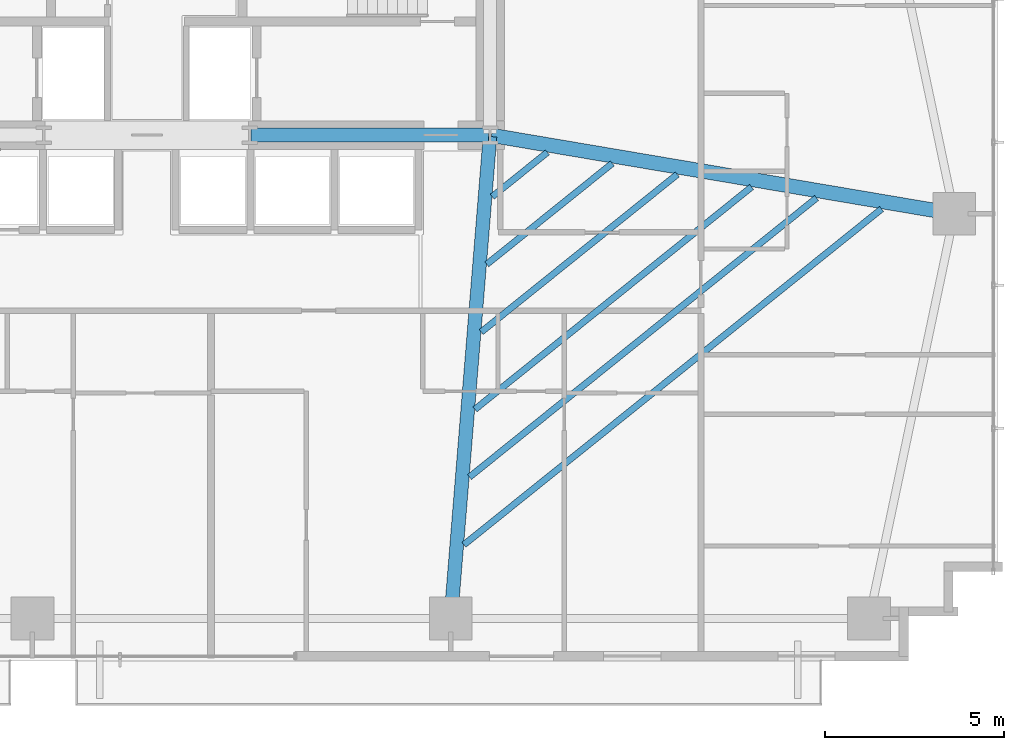
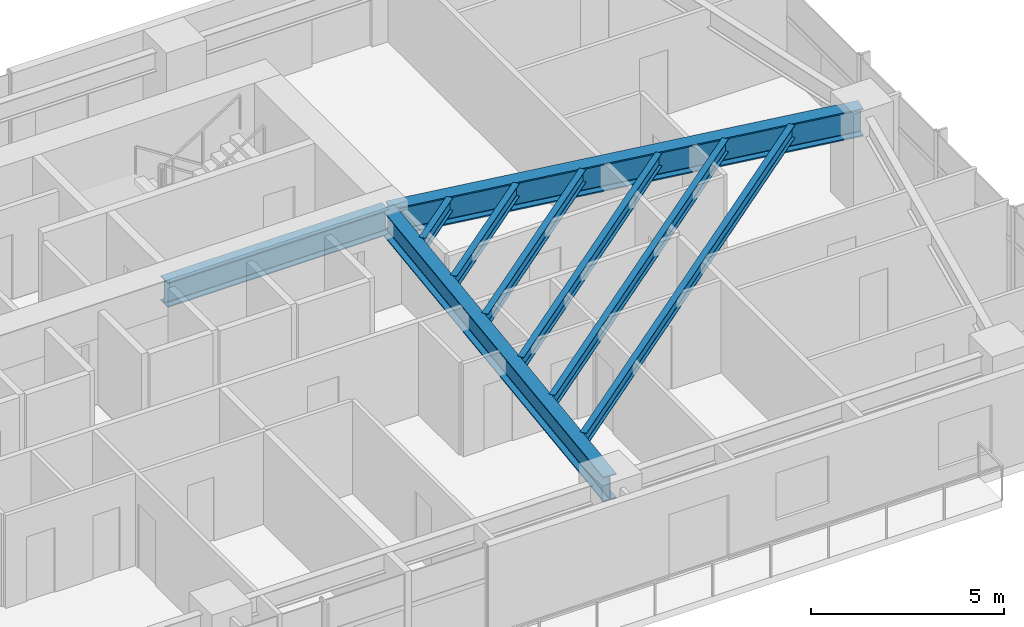
# One storey, part 13 of 25: 9 beams.
"""IFC4 building model written with IfcOpenShell, lengths in metres."""

from ifc_helpers import new_model, si_unit, direction, frame, origin, origin_2d, place, context, subcontext, project, spatial, i_section, extrude, source, transform, mapped, material, material_profile, profile_set, type_object, type_shapes, element, save


model = new_model("IFC4")

# Units and contexts
model_context = context("Model", 3, precision=1e-05, world=origin(), true_north=direction((0.0, 1.0)))
body_context = subcontext(model_context, "Body", "Model", "MODEL_VIEW")
ifc_project = project(units=[si_unit("LENGTHUNIT", "METRE"), si_unit("AREAUNIT", "SQUARE_METRE"), si_unit("VOLUMEUNIT", "CUBIC_METRE"), si_unit("PLANEANGLEUNIT", "RADIAN"), si_unit("MASSUNIT", "GRAM", prefix="KILO")], contexts=[model_context])

# Site, building, storey
site_placement = place(None, origin())
site = spatial("IfcSite", under=ifc_project, at=site_placement, CompositionType="ELEMENT")
building_placement = place(site_placement, origin())
building = spatial("IfcBuilding", under=site, at=building_placement, Name="Astriad Promenade Condominiums", CompositionType="ELEMENT")
storey_placement = place(building_placement, frame((0.0, 0.0, 35.800048828125)))
storey = spatial("IfcBuildingStorey", under=building, at=storey_placement, Name="L09", CompositionType="ELEMENT", Elevation=35.800048828125)

# Beams
ifc_material = material(Name="Steel ASTM A992 Grade 50", Category="steel")
ifc_material_profile_1 = material_profile(ifc_material, i_section(OverallWidth=0.3837890625, OverallDepth=0.785888671875, WebThickness=0.019775390625, FlangeThickness=0.033447265625, FilletRadius=0.021484375, at=origin_2d()), Name="W30X211")
ifc_profile_set_1 = profile_set([ifc_material_profile_1], Name="Steel ASTM A992 Grade 50")
beam_type_1 = type_object("IfcBeamType", Name="STEEL FLOOR GIRDER W30X211", PredefinedType="BEAM", material=ifc_profile_set_1)
shared_shape_1 = source(origin(), body_context, "Body", "SweptSolid", [
    extrude(i_section(OverallWidth=0.3837890625, OverallDepth=0.785888671875, WebThickness=0.019775390625, FlangeThickness=0.033447265625, FilletRadius=0.021484375, at=origin_2d()), origin(), (0.0, 0.0, 1.0), 6.64013671875),
])
beam_1_placement = place(storey_placement, frame((38.919921875, 17.39990234375, 2.547119140625), z_axis=(1.0, 0.0, 0.0), x_axis=(0.0, 1.0, 0.0)))
element("IfcBeam", 1, at=beam_1_placement, inside=storey, type_object=beam_type_1, Name="Core Ring Beam CG-S3-L09", PredefinedType="BEAM", context=body_context, shape_type="MappedRepresentation", body=[
    mapped(shared_shape_1, transform((0.0, 0.0, 0.0), scale=1.0)),
])
shared_shape_2 = source(origin(), body_context, "Body", "SweptSolid", [
    extrude(i_section(OverallWidth=0.3837890625, OverallDepth=0.785888671875, WebThickness=0.019775390625, FlangeThickness=0.033447265625, FilletRadius=0.021484375, at=origin_2d()), origin(), (0.0, 0.0, 1.0), 13.484619140625),
])
type_shapes(beam_type_1, [shared_shape_1, shared_shape_2])
beam_2_placement = place(storey_placement, frame((44.503173828125, 3.919921875, 2.547119140625), z_axis=(0.081092961134, 0.996706542396, 0.0), x_axis=(-0.996706542396, 0.081092961134, 0.0)))
element("IfcBeam", 2, at=beam_2_placement, inside=storey, type_object=beam_type_1, Name="Primary Floor Girder PG-E2-L09", PredefinedType="BEAM", context=body_context, shape_type="MappedRepresentation", body=[
    mapped(shared_shape_2, transform((0.0, 0.0, 0.0), scale=1.0)),
])
ifc_material_profile_2 = material_profile(ifc_material, i_section(OverallWidth=0.4013671875, OverallDepth=0.877197265625, WebThickness=0.022216796875, FlangeThickness=0.039794921875, FilletRadius=0.02294921875, at=origin_2d()), Name="W33X263")
ifc_profile_set_2 = profile_set([ifc_material_profile_2], Name="Steel ASTM A992 Grade 50")
beam_type_2 = type_object("IfcBeamType", Name="STEEL PRIMARY GIRDER W33X263", PredefinedType="BEAM", material=ifc_profile_set_2)
shared_shape_3 = source(origin(), body_context, "Body", "SweptSolid", [
    extrude(i_section(OverallWidth=0.4013671875, OverallDepth=0.877197265625, WebThickness=0.022216796875, FlangeThickness=0.039794921875, FilletRadius=0.02294921875, at=origin_2d()), origin(), (0.0, 0.0, 1.0), 13.085205078125),
])
type_shapes(beam_type_2, [shared_shape_3])
beam_3_placement = place(storey_placement, frame((58.54052734375, 15.206787109375, 2.50146484375), z_axis=(-0.985939912267, 0.167100237577, 0.0), x_axis=(-0.167100237577, -0.985939912267, 0.0)))
element("IfcBeam", 3, at=beam_3_placement, inside=storey, type_object=beam_type_2, Name="Primary Floor Girder PG-EM-L09", PredefinedType="BEAM", context=body_context, shape_type="MappedRepresentation", body=[
    mapped(shared_shape_3, transform((0.0, 0.0, 0.0), scale=1.0)),
])
ifc_material_profile_3 = material_profile(ifc_material, i_section(OverallWidth=0.180908203125, OverallDepth=0.417236328125, WebThickness=0.010986328125, FlangeThickness=0.018310546875, FilletRadius=0.013916015625, at=origin_2d()), Name="W16X57")
ifc_profile_set_3 = profile_set([ifc_material_profile_3], Name="Steel ASTM A992 Grade 50")
beam_type_3 = type_object("IfcBeamType", Name="STEEL FLOOR JOIST W16X57", PredefinedType="JOIST", material=ifc_profile_set_3)
shared_shape_4 = source(origin(), body_context, "Body", "SweptSolid", [
    extrude(i_section(OverallWidth=0.180908203125, OverallDepth=0.417236328125, WebThickness=0.010986328125, FlangeThickness=0.018310546875, FilletRadius=0.013916015625, at=origin_2d()), origin(), (0.0, 0.0, 1.0), 14.984375),
])
beam_4_placement = place(storey_placement, frame((44.867919921875, 5.944580078125, 2.7314453125), z_axis=(0.77934368876, 0.626596692291, 0.0), x_axis=(-0.626596692291, 0.77934368876, 0.0)))
element("IfcBeam", 4, at=beam_4_placement, inside=storey, type_object=beam_type_3, Name="Secondary Composite Floor Joist JE1-1-L09", PredefinedType="JOIST", context=body_context, shape_type="MappedRepresentation", body=[
    mapped(shared_shape_4, transform((0.0, 0.0, 0.0), scale=1.0)),
])
shared_shape_5 = source(origin(), body_context, "Body", "SweptSolid", [
    extrude(i_section(OverallWidth=0.180908203125, OverallDepth=0.417236328125, WebThickness=0.010986328125, FlangeThickness=0.018310546875, FilletRadius=0.013916015625, at=origin_2d()), origin(), (0.0, 0.0, 1.0), 12.455078125),
])
beam_5_placement = place(storey_placement, frame((45.021728515625, 7.83740234375, 2.7314453125), z_axis=(0.77935577594, 0.626581658292, 0.0), x_axis=(-0.626581658292, 0.77935577594, 0.0)))
element("IfcBeam", 5, at=beam_5_placement, inside=storey, type_object=beam_type_3, Name="Secondary Composite Floor Joist JE1-2-L09", PredefinedType="JOIST", context=body_context, shape_type="MappedRepresentation", body=[
    mapped(shared_shape_5, transform((0.0, 0.0, 0.0), scale=1.0)),
])
shared_shape_6 = source(origin(), body_context, "Body", "SweptSolid", [
    extrude(i_section(OverallWidth=0.180908203125, OverallDepth=0.417236328125, WebThickness=0.010986328125, FlangeThickness=0.018310546875, FilletRadius=0.013916015625, at=origin_2d()), origin(), (0.0, 0.0, 1.0), 9.926025390625),
])
beam_6_placement = place(storey_placement, frame((45.17578125, 9.730224609375, 2.7314453125), z_axis=(0.779352355084, 0.626585913203, 0.0), x_axis=(-0.626585913203, 0.779352355084, 0.0)))
element("IfcBeam", 6, at=beam_6_placement, inside=storey, type_object=beam_type_3, Name="Secondary Composite Floor Joist JE1-3-L09", PredefinedType="JOIST", context=body_context, shape_type="MappedRepresentation", body=[
    mapped(shared_shape_6, transform((0.0, 0.0, 0.0), scale=1.0)),
])
shared_shape_7 = source(origin(), body_context, "Body", "SweptSolid", [
    extrude(i_section(OverallWidth=0.180908203125, OverallDepth=0.417236328125, WebThickness=0.010986328125, FlangeThickness=0.018310546875, FilletRadius=0.013916015625, at=origin_2d()), origin(), (0.0, 0.0, 1.0), 7.03515625),
])
beam_7_placement = place(storey_placement, frame((45.351806640625, 11.8935546875, 2.7314453125), z_axis=(0.779349752639, 0.626589150131, 0.0), x_axis=(-0.626589150131, 0.779349752639, 0.0)))
element("IfcBeam", 7, at=beam_7_placement, inside=storey, type_object=beam_type_3, Name="Secondary Composite Floor Joist JE1-4-L09", PredefinedType="JOIST", context=body_context, shape_type="MappedRepresentation", body=[
    mapped(shared_shape_7, transform((0.0, 0.0, 0.0), scale=1.0)),
])
shared_shape_8 = source(origin(), body_context, "Body", "SweptSolid", [
    extrude(i_section(OverallWidth=0.180908203125, OverallDepth=0.417236328125, WebThickness=0.010986328125, FlangeThickness=0.018310546875, FilletRadius=0.013916015625, at=origin_2d()), origin(), (0.0, 0.0, 1.0), 4.505859375),
])
beam_8_placement = place(storey_placement, frame((45.505859375, 13.786376953125, 2.7314453125), z_axis=(0.779365294733, 0.626569818429, 0.0), x_axis=(-0.626569818429, 0.779365294733, 0.0)))
element("IfcBeam", 8, at=beam_8_placement, inside=storey, type_object=beam_type_3, Name="Secondary Composite Floor Joist JE1-5-L09", PredefinedType="JOIST", context=body_context, shape_type="MappedRepresentation", body=[
    mapped(shared_shape_8, transform((0.0, 0.0, 0.0), scale=1.0)),
])
shared_shape_9 = source(origin(), body_context, "Body", "SweptSolid", [
    extrude(i_section(OverallWidth=0.180908203125, OverallDepth=0.417236328125, WebThickness=0.010986328125, FlangeThickness=0.018310546875, FilletRadius=0.013916015625, at=origin_2d()), origin(), (0.0, 0.0, 1.0), 1.9765625),
])
type_shapes(beam_type_3, [shared_shape_4, shared_shape_5, shared_shape_6, shared_shape_7, shared_shape_8, shared_shape_9])
beam_9_placement = place(storey_placement, frame((45.659912109375, 15.67919921875, 2.7314453125), z_axis=(0.77936029648, 0.626576035506, 0.0), x_axis=(-0.626576035506, 0.77936029648, 0.0)))
element("IfcBeam", 9, at=beam_9_placement, inside=storey, type_object=beam_type_3, Name="Secondary Composite Floor Joist JE1-6-L09", PredefinedType="JOIST", context=body_context, shape_type="MappedRepresentation", body=[
    mapped(shared_shape_9, transform((0.0, 0.0, 0.0), scale=1.0)),
])

save(model, "model.ifc")
